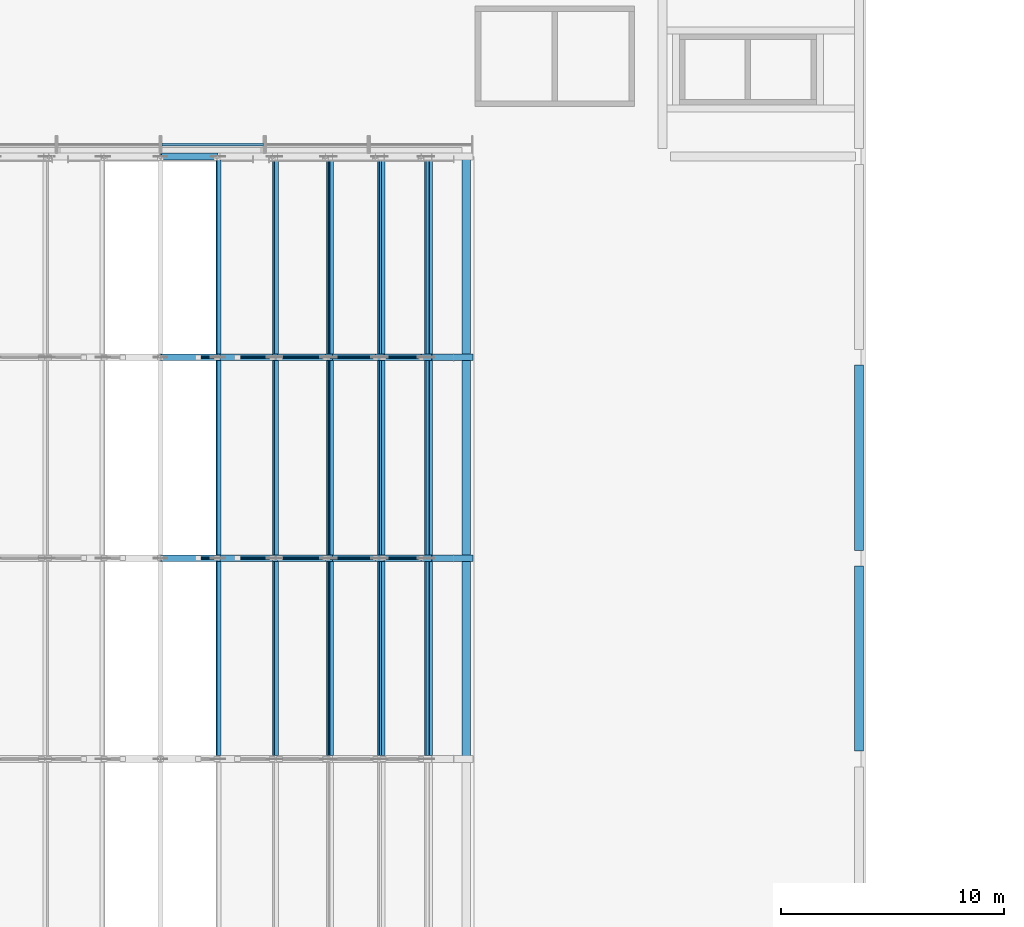
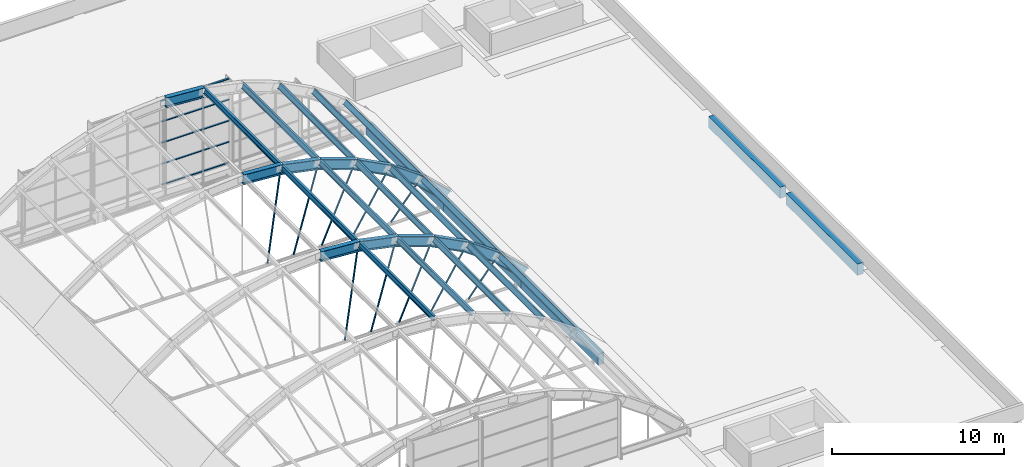
# One storey, part 16 of 43: 30 members, 18 beams, 1 element without a shape of its own.
"""IFC4 building model written with IfcOpenShell, lengths in metres."""

from ifc_helpers import new_model, si_unit, direction, frame, origin, origin_2d, place, context, subcontext, project, spatial, rectangle, hollow_circle, i_section, extrude, material, layer, layer_set, material_profile, profile_set, type_object, element, aggregate, save


model = new_model("IFC4")

# Units and contexts
model_context = context("Model", 3, precision=1e-05, world=origin(), true_north=direction((0.0, 1.0)))
body_context = subcontext(model_context, "Body", "Model", "MODEL_VIEW")
ifc_project = project(units=[si_unit("LENGTHUNIT", "METRE"), si_unit("AREAUNIT", "SQUARE_METRE"), si_unit("VOLUMEUNIT", "CUBIC_METRE"), si_unit("PLANEANGLEUNIT", "RADIAN"), si_unit("MASSUNIT", "GRAM", prefix="KILO")], contexts=[model_context])

# Site, building, storey
site_placement = place(None, origin())
site = spatial("IfcSite", under=ifc_project, at=site_placement, CompositionType="ELEMENT")
building_placement = place(site_placement, origin())
building = spatial("IfcBuilding", under=site, at=building_placement, Name="Guidao Yard Department Store", CompositionType="ELEMENT")
storey_placement = place(building_placement, frame((0.0, 0.0, 28.5)))
storey = spatial("IfcBuildingStorey", under=building, at=storey_placement, Name="L06", CompositionType="ELEMENT", Elevation=28.5)

# Members
ifc_material_1 = material(Name="Steel Q355B", Category="steel")
ifc_material_profile_1 = material_profile(ifc_material_1, hollow_circle(Radius=0.056884765625, WallThickness=0.006103515625, at=origin_2d()), Name="CHS 114x6")
ifc_profile_set_1 = profile_set([ifc_material_profile_1], Name="Steel Q355B")
member_type_1 = type_object("IfcMemberType", Name="CHS 114x6", PredefinedType="BRACE", material=ifc_profile_set_1)
member_1_placement = place(storey_placement, frame((33.19189453125, 72.0, -0.33447265625), z_axis=(0.136467360836, 0.0, 0.990644567656), x_axis=(0.0, 1.0, 0.0)))
element("IfcMember", 1, at=member_1_placement, inside=storey, type_object=member_type_1, Name="Roof web strut A03-07", PredefinedType="BRACE", context=body_context, shape_type="SweptSolid", body=[
    extrude(hollow_circle(Radius=0.056884765625, WallThickness=0.006103515625, at=origin_2d()), origin(), (0.0, 0.0, 1.0), 6.1220703125),
])
member_2_placement = place(storey_placement, frame((34.946044921875, 72.0, -0.33447265625), z_axis=(0.270550525701, 0.0, 0.962705776986), x_axis=(0.0, 1.0, 0.0)))
element("IfcMember", 2, at=member_2_placement, inside=storey, type_object=member_type_1, Name="Roof web strut A03-08", PredefinedType="BRACE", context=body_context, shape_type="SweptSolid", body=[
    extrude(hollow_circle(Radius=0.056884765625, WallThickness=0.006103515625, at=origin_2d()), origin(), (0.0, 0.0, 1.0), 5.763427734375),
])
member_3_placement = place(storey_placement, frame((36.835693359375, 72.0, -0.33447265625), z_axis=(0.399904458312, 0.0, 0.916556830874), x_axis=(0.0, 1.0, 0.0)))
element("IfcMember", 3, at=member_3_placement, inside=storey, type_object=member_type_1, Name="Roof web strut A03-09", PredefinedType="BRACE", context=body_context, shape_type="SweptSolid", body=[
    extrude(hollow_circle(Radius=0.056884765625, WallThickness=0.006103515625, at=origin_2d()), origin(), (0.0, 0.0, 1.0), 5.127685546875),
])
member_4_placement = place(storey_placement, frame((38.959716796875, 72.0, -0.33447265625), z_axis=(0.522090893474, 0.0, 0.852889851594), x_axis=(0.0, 1.0, 0.0)))
element("IfcMember", 4, at=member_4_placement, inside=storey, type_object=member_type_1, Name="Roof web strut A03-10", PredefinedType="BRACE", context=body_context, shape_type="SweptSolid", body=[
    extrude(hollow_circle(Radius=0.056884765625, WallThickness=0.006103515625, at=origin_2d()), origin(), (0.0, 0.0, 1.0), 4.14404296875),
])
member_5_placement = place(storey_placement, frame((41.468017578125, 72.0, -0.33447265625), z_axis=(0.634904146186, 0.0, 0.772590917081), x_axis=(0.0, 1.0, 0.0)))
element("IfcMember", 5, at=member_5_placement, inside=storey, type_object=member_type_1, Name="Roof web strut A03-11", PredefinedType="BRACE", context=body_context, shape_type="SweptSolid", body=[
    extrude(hollow_circle(Radius=0.056884765625, WallThickness=0.006103515625, at=origin_2d()), origin(), (0.0, 0.0, 1.0), 2.686279296875),
])
member_6_placement = place(storey_placement, frame((33.19189453125, 81.0, -0.33447265625), z_axis=(0.136467360836, 0.0, 0.990644567656), x_axis=(0.0, 1.0, 0.0)))
element("IfcMember", 6, at=member_6_placement, inside=storey, type_object=member_type_1, Name="Roof web strut A04-07", PredefinedType="BRACE", context=body_context, shape_type="SweptSolid", body=[
    extrude(hollow_circle(Radius=0.056884765625, WallThickness=0.006103515625, at=origin_2d()), origin(), (0.0, 0.0, 1.0), 6.1220703125),
])
member_7_placement = place(storey_placement, frame((34.946044921875, 81.0, -0.33447265625), z_axis=(0.270550525701, 0.0, 0.962705776986), x_axis=(0.0, 1.0, 0.0)))
element("IfcMember", 7, at=member_7_placement, inside=storey, type_object=member_type_1, Name="Roof web strut A04-08", PredefinedType="BRACE", context=body_context, shape_type="SweptSolid", body=[
    extrude(hollow_circle(Radius=0.056884765625, WallThickness=0.006103515625, at=origin_2d()), origin(), (0.0, 0.0, 1.0), 5.763427734375),
])
member_8_placement = place(storey_placement, frame((36.835693359375, 81.0, -0.33447265625), z_axis=(0.399904458312, 0.0, 0.916556830874), x_axis=(0.0, 1.0, 0.0)))
element("IfcMember", 8, at=member_8_placement, inside=storey, type_object=member_type_1, Name="Roof web strut A04-09", PredefinedType="BRACE", context=body_context, shape_type="SweptSolid", body=[
    extrude(hollow_circle(Radius=0.056884765625, WallThickness=0.006103515625, at=origin_2d()), origin(), (0.0, 0.0, 1.0), 5.127685546875),
])
member_9_placement = place(storey_placement, frame((38.959716796875, 81.0, -0.33447265625), z_axis=(0.522090893474, 0.0, 0.852889851594), x_axis=(0.0, 1.0, 0.0)))
element("IfcMember", 9, at=member_9_placement, inside=storey, type_object=member_type_1, Name="Roof web strut A04-10", PredefinedType="BRACE", context=body_context, shape_type="SweptSolid", body=[
    extrude(hollow_circle(Radius=0.056884765625, WallThickness=0.006103515625, at=origin_2d()), origin(), (0.0, 0.0, 1.0), 4.14404296875),
])
member_10_placement = place(storey_placement, frame((41.468017578125, 81.0, -0.33447265625), z_axis=(0.634904146186, 0.0, 0.772590917081), x_axis=(0.0, 1.0, 0.0)))
element("IfcMember", 10, at=member_10_placement, inside=storey, type_object=member_type_1, Name="Roof web strut A04-11", PredefinedType="BRACE", context=body_context, shape_type="SweptSolid", body=[
    extrude(hollow_circle(Radius=0.056884765625, WallThickness=0.006103515625, at=origin_2d()), origin(), (0.0, 0.0, 1.0), 2.686279296875),
])
ifc_material_2 = material(Name="Steel Q355B", Category="steel")
ifc_material_profile_2 = material_profile(ifc_material_2, i_section(OverallWidth=0.175048828125, OverallDepth=0.35009765625, WebThickness=0.007080078125, FlangeThickness=0.010986328125, FilletRadius=0.012939453125, at=origin_2d()), Name="HN 350x175x7x11")
ifc_profile_set_2 = profile_set([ifc_material_profile_2], Name="Steel Q355B")
member_type_2 = type_object("IfcMemberType", Name="HN 350x175x7x11", PredefinedType="PURLIN", material=ifc_profile_set_2)
for number, where, z_axis, x_axis, name in (
    (11, (34.098388671875, 63.14990234375, 6.24609375), (0.0, 1.0, 0.0), (-0.990647128966, 0.0, 0.13644876647), "Roof purlin A02-07"),
    (12, (34.098388671875, 72.14990234375, 6.24609375), (0.0, 1.0, 0.0), (-0.990647128966, 0.0, 0.13644876647), "Roof purlin A03-07"),
    (13, (34.098388671875, 81.14990234375, 6.24609375), (0.0, 1.0, 0.0), (-0.990647128966, 0.0, 0.13644876647), "Roof purlin A04-07"),
    (14, (36.646240234375, 63.14990234375, 5.71533203125), (0.0, 1.0, 0.0), (-0.962711909047, 0.0, 0.270528704906), "Roof purlin A02-08"),
    (15, (36.646240234375, 72.14990234375, 5.71533203125), (0.0, 1.0, 0.0), (-0.962711909047, 0.0, 0.270528704906), "Roof purlin A03-08"),
    (16, (36.646240234375, 81.14990234375, 5.71533203125), (0.0, 1.0, 0.0), (-0.962711909047, 0.0, 0.270528704906), "Roof purlin A04-08"),
    (17, (39.09423828125, 63.14990234375, 4.84228515625), (0.0, 1.0, 0.0), (-0.916571220375, 0.0, 0.399871476828), "Roof purlin A02-09"),
    (18, (39.09423828125, 72.14990234375, 4.84228515625), (0.0, 1.0, 0.0), (-0.916571220375, 0.0, 0.399871476828), "Roof purlin A03-09"),
    (19, (39.09423828125, 81.14990234375, 4.84228515625), (0.0, 1.0, 0.0), (-0.916571220375, 0.0, 0.399871476828), "Roof purlin A04-09"),
    (20, (41.395263671875, 63.14990234375, 3.643798828125), (0.0, 1.0, 0.0), (-0.852874237271, 0.0, 0.522116400239), "Roof purlin A02-10"),
    (21, (41.395263671875, 72.14990234375, 3.643798828125), (0.0, 1.0, 0.0), (-0.852874237271, 0.0, 0.522116400239), "Roof purlin A03-10"),
    (22, (41.395263671875, 81.14990234375, 3.643798828125), (0.0, 1.0, 0.0), (-0.852874237271, 0.0, 0.522116400239), "Roof purlin A04-10"),
    (23, (43.504150390625, 63.14990234375, 2.14306640625), (0.0, 1.0, 0.0), (-0.772569517273, 0.0, 0.634930185911), "Roof purlin A02-11"),
    (24, (43.504150390625, 72.14990234375, 2.14306640625), (0.0, 1.0, 0.0), (-0.772569517273, 0.0, 0.634930185911), "Roof purlin A03-11"),
    (25, (43.504150390625, 81.14990234375, 2.14306640625), (0.0, 1.0, 0.0), (-0.772569517273, 0.0, 0.634930185911), "Roof purlin A04-11"),
):
    element("IfcMember", number, at=place(storey_placement, frame(where, z_axis=z_axis, x_axis=x_axis)), inside=storey, type_object=member_type_2, Name=name, PredefinedType="PURLIN", context=body_context, shape_type="SweptSolid", body=[
        extrude(i_section(OverallWidth=0.175048828125, OverallDepth=0.35009765625, WebThickness=0.007080078125, FlangeThickness=0.010986328125, FilletRadius=0.012939453125, at=origin_2d()), origin(), (0.0, 0.0, 1.0), 8.7001953125),
    ])

# Beams
ifc_material_3 = material(Name="Steel Q355B", Category="steel")
ifc_material_profile_3 = material_profile(ifc_material_3, i_section(OverallWidth=0.300048828125, OverallDepth=0.699951171875, WebThickness=0.012939453125, FlangeThickness=0.02392578125, FilletRadius=0.01806640625, at=origin_2d()), Name="HN 700x300x13x24")
ifc_profile_set_3 = profile_set([ifc_material_profile_3], Name="Steel Q355B")
beam_type_1 = type_object("IfcBeamType", Name="HN 700x300x13x24", PredefinedType="BEAM", material=ifc_profile_set_3)
beam_1_placement = place(storey_placement, frame((31.52392578125, 72.0, 6.252685546875), z_axis=(0.997662835171, 0.0, -0.06832911033), x_axis=(0.0, 1.0, 0.0)))
element("IfcBeam", 26, at=beam_1_placement, inside=storey, type_object=beam_type_1, Name="Roof rib A03-07", PredefinedType="BEAM", context=body_context, shape_type="SweptSolid", body=[
    extrude(i_section(OverallWidth=0.300048828125, OverallDepth=0.699951171875, WebThickness=0.012939453125, FlangeThickness=0.02392578125, FilletRadius=0.01806640625, at=origin_2d()), origin(), (0.0, 0.0, 1.0), 2.533203125),
])
beam_2_placement = place(storey_placement, frame((34.0986328125, 72.0, 6.072998046875), z_axis=(0.978991652307, 0.0, -0.203900330343), x_axis=(0.0, 1.0, 0.0)))
element("IfcBeam", 27, at=beam_2_placement, inside=storey, type_object=beam_type_1, Name="Roof rib A03-08", PredefinedType="BEAM", context=body_context, shape_type="SweptSolid", body=[
    extrude(i_section(OverallWidth=0.300048828125, OverallDepth=0.699951171875, WebThickness=0.012939453125, FlangeThickness=0.02392578125, FilletRadius=0.01806640625, at=origin_2d()), origin(), (0.0, 0.0, 1.0), 2.53125),
])
beam_3_placement = place(storey_placement, frame((36.622802734375, 72.0, 5.5439453125), z_axis=(0.94189041097, 0.0, -0.335920308588), x_axis=(0.0, 1.0, 0.0)))
element("IfcBeam", 28, at=beam_3_placement, inside=storey, type_object=beam_type_1, Name="Roof rib A03-09", PredefinedType="BEAM", context=body_context, shape_type="SweptSolid", body=[
    extrude(i_section(OverallWidth=0.300048828125, OverallDepth=0.699951171875, WebThickness=0.012939453125, FlangeThickness=0.02392578125, FilletRadius=0.01806640625, at=origin_2d()), origin(), (0.0, 0.0, 1.0), 2.52783203125),
])
beam_4_placement = place(storey_placement, frame((39.0478515625, 72.0, 4.675537109375), z_axis=(0.886910779875, 0.0, -0.461940763023), x_axis=(0.0, 1.0, 0.0)))
element("IfcBeam", 29, at=beam_4_placement, inside=storey, type_object=beam_type_1, Name="Roof rib A03-10", PredefinedType="BEAM", context=body_context, shape_type="SweptSolid", body=[
    extrude(i_section(OverallWidth=0.300048828125, OverallDepth=0.699951171875, WebThickness=0.012939453125, FlangeThickness=0.02392578125, FilletRadius=0.01806640625, at=origin_2d()), origin(), (0.0, 0.0, 1.0), 2.5224609375),
])
beam_5_placement = place(storey_placement, frame((41.326416015625, 72.0, 3.485107421875), z_axis=(0.814735308412, 0.0, -0.579833059791), x_axis=(0.0, 1.0, 0.0)))
element("IfcBeam", 30, at=beam_5_placement, inside=storey, type_object=beam_type_1, Name="Roof rib A03-11", PredefinedType="BEAM", context=body_context, shape_type="SweptSolid", body=[
    extrude(i_section(OverallWidth=0.300048828125, OverallDepth=0.699951171875, WebThickness=0.012939453125, FlangeThickness=0.02392578125, FilletRadius=0.01806640625, at=origin_2d()), origin(), (0.0, 0.0, 1.0), 2.51611328125),
])
beam_6_placement = place(storey_placement, frame((43.4140625, 72.0, 1.995361328125), z_axis=(0.726628290109, 0.0, -0.687030805724), x_axis=(0.0, 1.0, 0.0)))
element("IfcBeam", 31, at=beam_6_placement, inside=storey, type_object=beam_type_1, Name="Roof rib A03-12", PredefinedType="BEAM", context=body_context, shape_type="SweptSolid", body=[
    extrude(i_section(OverallWidth=0.300048828125, OverallDepth=0.699951171875, WebThickness=0.012939453125, FlangeThickness=0.02392578125, FilletRadius=0.01806640625, at=origin_2d()), origin(), (0.0, 0.0, 1.0), 2.533935546875),
])
beam_7_placement = place(storey_placement, frame((31.52392578125, 81.0, 6.252685546875), z_axis=(0.997662835171, 0.0, -0.06832911033), x_axis=(0.0, 1.0, 0.0)))
element("IfcBeam", 32, at=beam_7_placement, inside=storey, type_object=beam_type_1, Name="Roof rib A04-07", PredefinedType="BEAM", context=body_context, shape_type="SweptSolid", body=[
    extrude(i_section(OverallWidth=0.300048828125, OverallDepth=0.699951171875, WebThickness=0.012939453125, FlangeThickness=0.02392578125, FilletRadius=0.01806640625, at=origin_2d()), origin(), (0.0, 0.0, 1.0), 2.533203125),
])
beam_8_placement = place(storey_placement, frame((34.0986328125, 81.0, 6.072998046875), z_axis=(0.978991652307, 0.0, -0.203900330343), x_axis=(0.0, 1.0, 0.0)))
element("IfcBeam", 33, at=beam_8_placement, inside=storey, type_object=beam_type_1, Name="Roof rib A04-08", PredefinedType="BEAM", context=body_context, shape_type="SweptSolid", body=[
    extrude(i_section(OverallWidth=0.300048828125, OverallDepth=0.699951171875, WebThickness=0.012939453125, FlangeThickness=0.02392578125, FilletRadius=0.01806640625, at=origin_2d()), origin(), (0.0, 0.0, 1.0), 2.53125),
])
beam_9_placement = place(storey_placement, frame((36.622802734375, 81.0, 5.5439453125), z_axis=(0.94189041097, 0.0, -0.335920308588), x_axis=(0.0, 1.0, 0.0)))
element("IfcBeam", 34, at=beam_9_placement, inside=storey, type_object=beam_type_1, Name="Roof rib A04-09", PredefinedType="BEAM", context=body_context, shape_type="SweptSolid", body=[
    extrude(i_section(OverallWidth=0.300048828125, OverallDepth=0.699951171875, WebThickness=0.012939453125, FlangeThickness=0.02392578125, FilletRadius=0.01806640625, at=origin_2d()), origin(), (0.0, 0.0, 1.0), 2.52783203125),
])
beam_10_placement = place(storey_placement, frame((39.0478515625, 81.0, 4.675537109375), z_axis=(0.886910779875, 0.0, -0.461940763023), x_axis=(0.0, 1.0, 0.0)))
element("IfcBeam", 35, at=beam_10_placement, inside=storey, type_object=beam_type_1, Name="Roof rib A04-10", PredefinedType="BEAM", context=body_context, shape_type="SweptSolid", body=[
    extrude(i_section(OverallWidth=0.300048828125, OverallDepth=0.699951171875, WebThickness=0.012939453125, FlangeThickness=0.02392578125, FilletRadius=0.01806640625, at=origin_2d()), origin(), (0.0, 0.0, 1.0), 2.5224609375),
])
beam_11_placement = place(storey_placement, frame((41.326416015625, 81.0, 3.485107421875), z_axis=(0.814735308412, 0.0, -0.579833059791), x_axis=(0.0, 1.0, 0.0)))
element("IfcBeam", 36, at=beam_11_placement, inside=storey, type_object=beam_type_1, Name="Roof rib A04-11", PredefinedType="BEAM", context=body_context, shape_type="SweptSolid", body=[
    extrude(i_section(OverallWidth=0.300048828125, OverallDepth=0.699951171875, WebThickness=0.012939453125, FlangeThickness=0.02392578125, FilletRadius=0.01806640625, at=origin_2d()), origin(), (0.0, 0.0, 1.0), 2.51611328125),
])
beam_12_placement = place(storey_placement, frame((43.4140625, 81.0, 1.995361328125), z_axis=(0.726628290109, 0.0, -0.687030805724), x_axis=(0.0, 1.0, 0.0)))
element("IfcBeam", 37, at=beam_12_placement, inside=storey, type_object=beam_type_1, Name="Roof rib A04-12", PredefinedType="BEAM", context=body_context, shape_type="SweptSolid", body=[
    extrude(i_section(OverallWidth=0.300048828125, OverallDepth=0.699951171875, WebThickness=0.012939453125, FlangeThickness=0.02392578125, FilletRadius=0.01806640625, at=origin_2d()), origin(), (0.0, 0.0, 1.0), 2.533935546875),
])
beam_13_placement = place(storey_placement, frame((31.52392578125, 90.0, 6.252685546875), z_axis=(0.997662835171, 0.0, -0.06832911033), x_axis=(0.0, 1.0, 0.0)))
element("IfcBeam", 38, at=beam_13_placement, inside=storey, type_object=beam_type_1, Name="Roof rib A05-07", PredefinedType="BEAM", context=body_context, shape_type="SweptSolid", body=[
    extrude(i_section(OverallWidth=0.300048828125, OverallDepth=0.699951171875, WebThickness=0.012939453125, FlangeThickness=0.02392578125, FilletRadius=0.01806640625, at=origin_2d()), origin(), (0.0, 0.0, 1.0), 2.533203125),
])
ifc_material_4 = material(Name="Concrete C40", Category="concrete")
ifc_material_profile_4 = material_profile(ifc_material_4, rectangle(XDim=0.39990234375, YDim=0.800048828125, at=origin_2d()), Name="Spandrel beam 400 x 800 C40")
ifc_profile_set_4 = profile_set([ifc_material_profile_4], Name="Concrete C40")
beam_type_2 = type_object("IfcBeamType", Name="Spandrel beam 400 x 800 C40", PredefinedType="SPANDREL", material=ifc_profile_set_4)
for number, where, z_axis, x_axis, name in (
    (39, (62.800048828125, 63.35009765625, -0.39990234375), (0.0, 1.0, 0.0), (-1.0, 0.0, 0.0), "Beam EB08"),
    (40, (62.800048828125, 72.35009765625, -0.39990234375), (0.0, 1.0, 0.0), (-1.0, 0.0, 0.0), "Beam EB09"),
):
    element("IfcBeam", number, at=place(storey_placement, frame(where, z_axis=z_axis, x_axis=x_axis)), inside=storey, type_object=beam_type_2, Name=name, PredefinedType="SPANDREL", context=body_context, shape_type="SweptSolid", body=[
        extrude(rectangle(XDim=0.39990234375, YDim=0.800048828125, at=origin_2d()), origin(), (0.0, 0.0, 1.0), 8.2998046875),
    ])

# Curtain wall, members
ifc_material_5 = material(Name="Aluminium and glass", Category="aluminium")
ifc_layer = layer(ifc_material_5, 0.159912109375)
ifc_layer_set = layer_set([ifc_layer], Name="Gable glazing CW7 1500 module")
curtain_wall_type = type_object("IfcCurtainWallType", Name="Gable glazing CW7 1500 module", PredefinedType="NOTDEFINED", material=ifc_layer_set)
curtain_wall_placement = place(storey_placement, origin())
curtain_wall = element("IfcCurtainWall", 41, at=curtain_wall_placement, inside=storey, type_object=curtain_wall_type, Name="Gable glazing AN4", PredefinedType="NOTDEFINED")
ifc_material_6 = material(Name="Aluminium 6063-T5", Category="aluminium")
ifc_material_profile_5 = material_profile(ifc_material_6, rectangle(XDim=0.1201171875, YDim=0.06005859375, at=origin_2d()), Name="Transom T1 60 x 120 aluminium pressure plate")
ifc_profile_set_5 = profile_set([ifc_material_profile_5], Name="Aluminium 6063-T5")
member_type_3 = type_object("IfcMemberType", Name="Transom T1 60 x 120 aluminium pressure plate", PredefinedType="USERDEFINED", material=ifc_profile_set_5)
member_11_placement = place(storey_placement, frame((31.56005859375, 90.5400390625, 0.030029296875), z_axis=(1.0, 0.0, 0.0), x_axis=(0.0, 1.0, 0.0)))
member_11 = element("IfcMember", 42, at=member_11_placement, type_object=member_type_3, Name="CW-TAN4 transom 1.1", ObjectType="TRANSOM", PredefinedType="USERDEFINED", context=body_context, shape_type="SweptSolid", body=[
    extrude(rectangle(XDim=0.1201171875, YDim=0.06005859375, at=origin_2d()), origin(), (0.0, 0.0, 1.0), 4.545166015625),
])
member_12_placement = place(storey_placement, frame((31.56005859375, 90.5400390625, 1.5), z_axis=(1.0, 0.0, 0.0), x_axis=(0.0, 1.0, 0.0)))
member_12 = element("IfcMember", 43, at=member_12_placement, type_object=member_type_3, Name="CW-TAN4 transom 1.2", ObjectType="TRANSOM", PredefinedType="USERDEFINED", context=body_context, shape_type="SweptSolid", body=[
    extrude(rectangle(XDim=0.1201171875, YDim=0.06005859375, at=origin_2d()), origin(), (0.0, 0.0, 1.0), 4.545166015625),
])
member_13_placement = place(storey_placement, frame((31.56005859375, 90.5400390625, 3.0), z_axis=(1.0, 0.0, 0.0), x_axis=(0.0, 1.0, 0.0)))
member_13 = element("IfcMember", 44, at=member_13_placement, type_object=member_type_3, Name="CW-TAN4 transom 1.3", ObjectType="TRANSOM", PredefinedType="USERDEFINED", context=body_context, shape_type="SweptSolid", body=[
    extrude(rectangle(XDim=0.1201171875, YDim=0.06005859375, at=origin_2d()), origin(), (0.0, 0.0, 1.0), 4.545166015625),
])
member_14_placement = place(storey_placement, frame((31.56005859375, 90.5400390625, 4.5), z_axis=(1.0, 0.0, 0.0), x_axis=(0.0, 1.0, 0.0)))
member_14 = element("IfcMember", 45, at=member_14_placement, type_object=member_type_3, Name="CW-TAN4 transom 1.4", ObjectType="TRANSOM", PredefinedType="USERDEFINED", context=body_context, shape_type="SweptSolid", body=[
    extrude(rectangle(XDim=0.1201171875, YDim=0.06005859375, at=origin_2d()), origin(), (0.0, 0.0, 1.0), 4.545166015625),
])
member_15_placement = place(storey_placement, frame((31.56005859375, 90.5400390625, 5.969970703125), z_axis=(1.0, 0.0, 0.0), x_axis=(0.0, 1.0, 0.0)))
member_15 = element("IfcMember", 46, at=member_15_placement, type_object=member_type_3, Name="CW-TAN4 transom 1.5", ObjectType="TRANSOM", PredefinedType="USERDEFINED", context=body_context, shape_type="SweptSolid", body=[
    extrude(rectangle(XDim=0.1201171875, YDim=0.06005859375, at=origin_2d()), origin(), (0.0, 0.0, 1.0), 4.545166015625),
])
aggregate(curtain_wall, [member_11, member_12, member_13, member_14, member_15])

# Beams
ifc_material_7 = material(Name="Concrete C40", Category="concrete")
ifc_material_profile_6 = material_profile(ifc_material_7, rectangle(XDim=0.39990234375, YDim=0.800048828125, at=origin_2d()), Name="Vault bearing beam 400 x 800 C40")
ifc_profile_set_6 = profile_set([ifc_material_profile_6], Name="Concrete C40")
beam_type_3 = type_object("IfcBeamType", Name="Vault bearing beam 400 x 800 C40", PredefinedType="BEAM", material=ifc_profile_set_6)
for number, where, z_axis, x_axis, name in (
    (47, (45.199951171875, 63.0, -0.39990234375), (0.0, 1.0, 0.0), (-1.0, 0.0, 0.0), "Beam VB09"),
    (48, (45.199951171875, 72.0, -0.39990234375), (0.0, 1.0, 0.0), (-1.0, 0.0, 0.0), "Beam VB10"),
    (49, (45.199951171875, 81.0, -0.39990234375), (0.0, 1.0, 0.0), (-1.0, 0.0, 0.0), "Beam VB11"),
):
    element("IfcBeam", number, at=place(storey_placement, frame(where, z_axis=z_axis, x_axis=x_axis)), inside=storey, type_object=beam_type_3, Name=name, PredefinedType="BEAM", context=body_context, shape_type="SweptSolid", body=[
        extrude(rectangle(XDim=0.39990234375, YDim=0.800048828125, at=origin_2d()), origin(), (0.0, 0.0, 1.0), 9.0),
    ])

save(model, "model.ifc")
